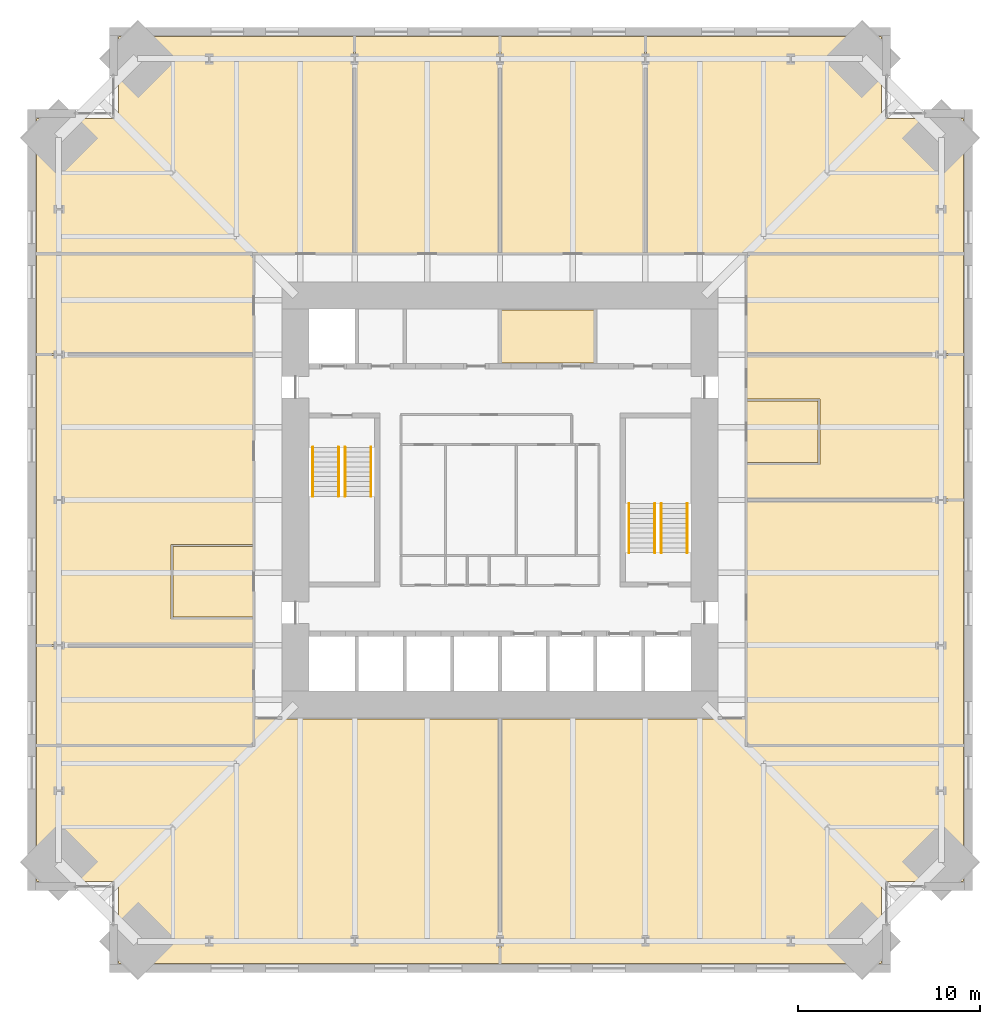
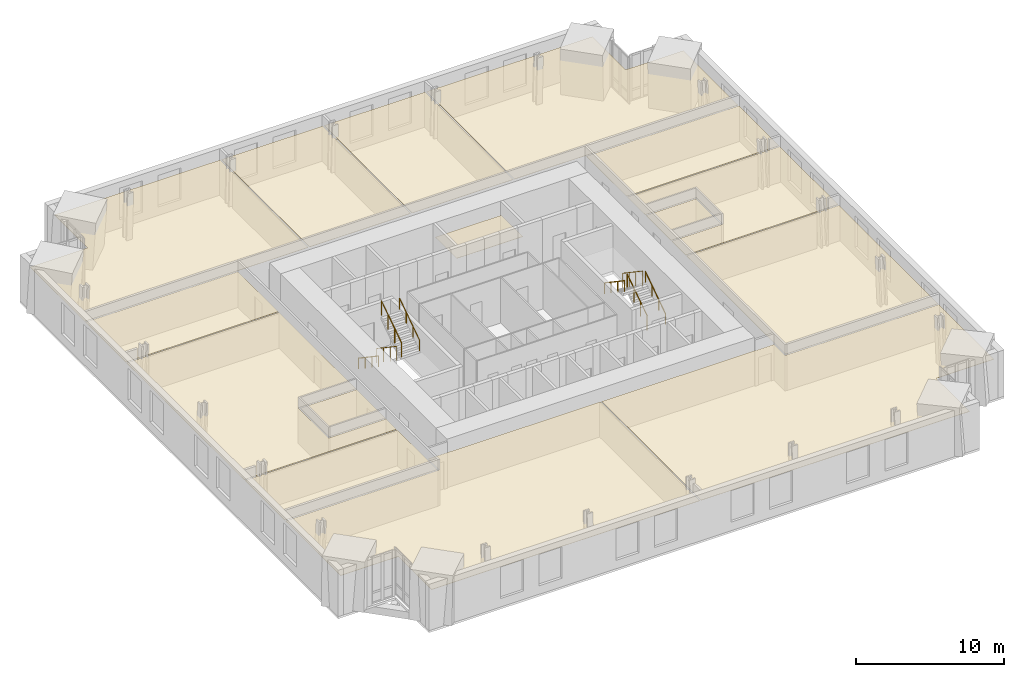
# One storey, part 18 of 18: 15 coverings, 8 railings.
"""IFC4 building model written with IfcOpenShell, lengths in metres."""

from ifc_helpers import new_model, si_unit, direction, frame, origin, origin_2d, place, context, subcontext, project, spatial, polyline, circle, outline, extrude, material, layer, layer_set, type_object, element, save


model = new_model("IFC4")

# Units and contexts
model_context = context("Model", 3, precision=1e-05, world=origin(), true_north=direction((0.0, 1.0)))
body_context = subcontext(model_context, "Body", "Model", "MODEL_VIEW")
ifc_project = project(units=[si_unit("LENGTHUNIT", "METRE"), si_unit("AREAUNIT", "SQUARE_METRE"), si_unit("VOLUMEUNIT", "CUBIC_METRE"), si_unit("PLANEANGLEUNIT", "RADIAN"), si_unit("MASSUNIT", "GRAM", prefix="KILO")], contexts=[model_context])

# Site, building, storey
site_placement = place(None, origin())
site = spatial("IfcSite", under=ifc_project, at=site_placement, CompositionType="ELEMENT")
building_placement = place(site_placement, origin())
building = spatial("IfcBuilding", under=site, at=building_placement, Name="Peilmerk Tower", CompositionType="ELEMENT")
storey_placement = place(building_placement, frame((0.0, 0.0, 163.800048828125)))
storey = spatial("IfcBuildingStorey", under=building, at=storey_placement, Name="L34", CompositionType="ELEMENT", Elevation=163.800048828125)

# Coverings
ifc_material_1 = material(Name="Mineral fibre ceiling tiles", Category="mineral")
ifc_layer = layer(ifc_material_1, 0.02490234375)
ifc_layer_set = layer_set([ifc_layer], Name="Mineral fibre ceiling tiles")
covering_type = type_object("IfcCoveringType", Name="CL1 25 suspended ceiling", PredefinedType="CEILING", material=ifc_layer_set)
covering_1_placement = place(storey_placement, frame((0.0, 0.0, 2.905029296875)))
element("IfcCovering", 1, at=covering_1_placement, inside=storey, type_object=covering_type, Name="Suspended ceiling Office", PredefinedType="CEILING", context=body_context, shape_type="SweptSolid", body=[
    extrude(outline(polyline([(-25.5, 21.0), (-25.5, 13.60009765625), (-8.050048828125, 13.60009765625), (-8.050048828125, 25.5), (-21.0, 25.5), (-21.0, 21.0), (-25.5, 21.0)])), origin(), (0.0, 0.0, 1.0), 0.02490234375),
])
covering_2_placement = place(storey_placement, frame((0.0, 0.0, 2.905029296875)))
element("IfcCovering", 2, at=covering_2_placement, inside=storey, type_object=covering_type, Name="Suspended ceiling Office", PredefinedType="CEILING", context=body_context, shape_type="SweptSolid", body=[
    extrude(outline(polyline([(-0.050048828125, 25.5), (-7.949951171875, 25.5), (-7.949951171875, 13.60009765625), (-0.050048828125, 13.60009765625), (-0.050048828125, 25.5)])), origin(), (0.0, 0.0, 1.0), 0.02490234375),
])
covering_3_placement = place(storey_placement, frame((0.0, 0.0, 2.905029296875)))
element("IfcCovering", 3, at=covering_3_placement, inside=storey, type_object=covering_type, Name="Suspended ceiling Office", PredefinedType="CEILING", context=body_context, shape_type="SweptSolid", body=[
    extrude(outline(polyline([(7.949951171875, 25.5), (0.050048828125, 25.5), (0.050048828125, 13.60009765625), (7.949951171875, 13.60009765625), (7.949951171875, 25.5)])), origin(), (0.0, 0.0, 1.0), 0.02490234375),
])
covering_4_placement = place(storey_placement, frame((0.0, 0.0, 2.905029296875)))
element("IfcCovering", 4, at=covering_4_placement, inside=storey, type_object=covering_type, Name="Suspended ceiling Office", PredefinedType="CEILING", context=body_context, shape_type="SweptSolid", body=[
    extrude(outline(polyline([(21.0, 25.5), (8.050048828125, 25.5), (8.050048828125, 13.60009765625), (25.5, 13.60009765625), (25.5, 21.0), (21.0, 21.0), (21.0, 25.5)])), origin(), (0.0, 0.0, 1.0), 0.02490234375),
])
covering_5_placement = place(storey_placement, frame((0.0, 0.0, 2.905029296875)))
element("IfcCovering", 5, at=covering_5_placement, inside=storey, type_object=covering_type, Name="Suspended ceiling Office", PredefinedType="CEILING", context=body_context, shape_type="SweptSolid", body=[
    extrude(outline(polyline([(-21.0, -25.5), (-0.050048828125, -25.5), (-0.050048828125, -12.050048828125), (-13.5, -12.050048828125), (-13.5, -13.550048828125), (-25.5, -13.550048828125), (-25.5, -21.0), (-21.0, -21.0), (-21.0, -25.5)])), origin(), (0.0, 0.0, 1.0), 0.02490234375),
])
covering_6_placement = place(storey_placement, frame((0.0, 0.0, 2.905029296875)))
element("IfcCovering", 6, at=covering_6_placement, inside=storey, type_object=covering_type, Name="Suspended ceiling Office", PredefinedType="CEILING", context=body_context, shape_type="SweptSolid", body=[
    extrude(outline(polyline([(0.050048828125, -25.5), (21.0, -25.5), (21.0, -21.0), (25.5, -21.0), (25.5, -13.550048828125), (13.5, -13.550048828125), (13.5, -12.050048828125), (0.050048828125, -12.050048828125), (0.050048828125, -25.5)])), origin(), (0.0, 0.0, 1.0), 0.02490234375),
])
covering_7_placement = place(storey_placement, frame((0.0, 0.0, 2.905029296875)))
element("IfcCovering", 7, at=covering_7_placement, inside=storey, type_object=covering_type, Name="Suspended ceiling Library", PredefinedType="CEILING", context=body_context, shape_type="SweptSolid", body=[
    extrude(outline(polyline([(25.5, -13.449951171875), (25.5, -0.050048828125), (13.60009765625, -0.050048828125), (13.60009765625, -13.449951171875), (25.5, -13.449951171875)])), origin(), (0.0, 0.0, 1.0), 0.02490234375),
])
covering_8_placement = place(storey_placement, frame((0.0, 0.0, 2.905029296875)))
element("IfcCovering", 8, at=covering_8_placement, inside=storey, type_object=covering_type, Name="Suspended ceiling Office", PredefinedType="CEILING", context=body_context, shape_type="SweptSolid", body=[
    extrude(outline(polyline([(13.60009765625, 0.050048828125), (25.5, 0.050048828125), (25.5, 7.949951171875), (13.60009765625, 7.949951171875), (13.60009765625, 5.550048828125), (17.60009765625, 5.550048828125), (17.60009765625, 1.949951171875), (13.60009765625, 1.949951171875), (13.60009765625, 0.050048828125)])), origin(), (0.0, 0.0, 1.0), 0.02490234375),
])
covering_9_placement = place(storey_placement, frame((0.0, 0.0, 2.905029296875)))
element("IfcCovering", 9, at=covering_9_placement, inside=storey, type_object=covering_type, Name="Suspended ceiling Office", PredefinedType="CEILING", context=body_context, shape_type="SweptSolid", body=[
    extrude(outline(polyline([(25.5, 8.050048828125), (25.5, 13.5), (13.60009765625, 13.5), (13.60009765625, 8.050048828125), (25.5, 8.050048828125)])), origin(), (0.0, 0.0, 1.0), 0.02490234375),
])
covering_10_placement = place(storey_placement, frame((0.0, 0.0, 2.905029296875)))
element("IfcCovering", 10, at=covering_10_placement, inside=storey, type_object=covering_type, Name="Suspended ceiling Pantry", PredefinedType="CEILING", context=body_context, shape_type="SweptSolid", body=[
    extrude(outline(polyline([(17.5, 2.050048828125), (17.5, 5.449951171875), (13.60009765625, 5.449951171875), (13.60009765625, 2.050048828125), (17.5, 2.050048828125)])), origin(), (0.0, 0.0, 1.0), 0.02490234375),
])
covering_11_placement = place(storey_placement, frame((0.0, 0.0, 2.905029296875)))
element("IfcCovering", 11, at=covering_11_placement, inside=storey, type_object=covering_type, Name="Suspended ceiling Office", PredefinedType="CEILING", context=body_context, shape_type="SweptSolid", body=[
    extrude(outline(polyline([(-25.5, -8.050048828125), (-25.5, -13.449951171875), (-13.60009765625, -13.449951171875), (-13.60009765625, -8.050048828125), (-25.5, -8.050048828125)])), origin(), (0.0, 0.0, 1.0), 0.02490234375),
])
covering_12_placement = place(storey_placement, frame((0.0, 0.0, 2.905029296875)))
element("IfcCovering", 12, at=covering_12_placement, inside=storey, type_object=covering_type, Name="Suspended ceiling Office", PredefinedType="CEILING", context=body_context, shape_type="SweptSolid", body=[
    extrude(outline(polyline([(-13.60009765625, 7.949951171875), (-25.5, 7.949951171875), (-25.5, -7.949951171875), (-13.60009765625, -7.949951171875), (-13.60009765625, -6.550048828125), (-18.10009765625, -6.550048828125), (-18.10009765625, -2.449951171875), (-13.60009765625, -2.449951171875), (-13.60009765625, 7.949951171875)])), origin(), (0.0, 0.0, 1.0), 0.02490234375),
])
covering_13_placement = place(storey_placement, frame((0.0, 0.0, 2.905029296875)))
element("IfcCovering", 13, at=covering_13_placement, inside=storey, type_object=covering_type, Name="Suspended ceiling Office", PredefinedType="CEILING", context=body_context, shape_type="SweptSolid", body=[
    extrude(outline(polyline([(-25.5, 13.5), (-25.5, 8.050048828125), (-13.60009765625, 8.050048828125), (-13.60009765625, 13.5), (-25.5, 13.5)])), origin(), (0.0, 0.0, 1.0), 0.02490234375),
])
covering_14_placement = place(storey_placement, frame((0.0, 0.0, 2.905029296875)))
element("IfcCovering", 14, at=covering_14_placement, inside=storey, type_object=covering_type, Name="Suspended ceiling Meeting room", PredefinedType="CEILING", context=body_context, shape_type="SweptSolid", body=[
    extrude(outline(polyline([(-13.60009765625, -6.449951171875), (-13.60009765625, -2.550048828125), (-18.0, -2.550048828125), (-18.0, -6.449951171875), (-13.60009765625, -6.449951171875)])), origin(), (0.0, 0.0, 1.0), 0.02490234375),
])
covering_15_placement = place(storey_placement, frame((0.0, 0.0, 2.824951171875)))
element("IfcCovering", 15, at=covering_15_placement, inside=storey, type_object=covering_type, Name="Suspended ceiling Back-of-house office", PredefinedType="CEILING", context=body_context, shape_type="SweptSolid", body=[
    extrude(outline(polyline([(0.051025390625, 7.551025390625), (5.198974609375, 7.551025390625), (5.198974609375, 10.448974609375), (0.051025390625, 10.448974609375), (0.051025390625, 7.551025390625)])), origin(), (0.0, 0.0, 1.0), 0.02490234375),
])

# Railings
ifc_material_2 = material(Name="Steel flat bar balustrade", Category="steel")
railing_type_1 = type_object("IfcRailingType", Name="GR1 1200 stair guard", PredefinedType="GUARDRAIL", material=ifc_material_2)
railing_1_placement = place(storey_placement, frame((-8.8798828125, 2.89990234375, 0.181884765625)))
element("IfcRailing", 16, at=railing_1_placement, inside=storey, type_object=railing_type_1, Name="Guard stair 1 L34", PredefinedType="GUARDRAIL", context=body_context, shape_type="SweptSolid", body=[
    extrude(circle(Radius=0.02392578125, at=origin_2d()), frame((0.0, 0.0, 1.17578125), z_axis=(0.0, -0.829468130872, 0.55855404382), x_axis=(1.0, 0.0, 0.0)), (0.0, 0.0, 1.0), 3.255126953125),
    extrude(circle(Radius=0.02099609375, at=origin_2d()), origin(), (0.0, 0.0, 1.0), 1.15185546875),
    extrude(circle(Radius=0.02099609375, at=origin_2d()), frame((0.0, -0.89990234375, 0.60595703125)), (0.0, 0.0, 1.0), 1.15185546875),
    extrude(circle(Radius=0.02099609375, at=origin_2d()), frame((0.0, -1.800048828125, 1.212158203125)), (0.0, 0.0, 1.0), 1.15185546875),
    extrude(circle(Radius=0.02099609375, at=origin_2d()), frame((0.0, -2.699951171875, 1.818115234375)), (0.0, 0.0, 1.0), 1.15185546875),
])
for number, where, name in (
    (17, (-8.52001953125, 0.199951171875, 2.181884765625), "Guard stair 1 L34"),
    (18, (8.8798828125, -2.89990234375, 0.181884765625), "Guard stair 2 L34"),
):
    element("IfcRailing", number, at=place(storey_placement, frame(where)), inside=storey, type_object=railing_type_1, Name=name, PredefinedType="GUARDRAIL", context=body_context, shape_type="SweptSolid", body=[
        extrude(circle(Radius=0.02392578125, at=origin_2d()), frame((0.0, 0.0, 1.17578125), z_axis=(0.0, 0.829468130872, 0.55855404382), x_axis=(-1.0, 0.0, 0.0)), (0.0, 0.0, 1.0), 3.255126953125),
        extrude(circle(Radius=0.02099609375, at=origin_2d()), origin(), (0.0, 0.0, 1.0), 1.15185546875),
        extrude(circle(Radius=0.02099609375, at=origin_2d()), frame((0.0, 0.89990234375, 0.60595703125)), (0.0, 0.0, 1.0), 1.15185546875),
        extrude(circle(Radius=0.02099609375, at=origin_2d()), frame((0.0, 1.800048828125, 1.212158203125)), (0.0, 0.0, 1.0), 1.15185546875),
        extrude(circle(Radius=0.02099609375, at=origin_2d()), frame((0.0, 2.699951171875, 1.818115234375)), (0.0, 0.0, 1.0), 1.15185546875),
    ])
railing_2_placement = place(storey_placement, frame((8.52001953125, -0.199951171875, 2.181884765625)))
element("IfcRailing", 19, at=railing_2_placement, inside=storey, type_object=railing_type_1, Name="Guard stair 2 L34", PredefinedType="GUARDRAIL", context=body_context, shape_type="SweptSolid", body=[
    extrude(circle(Radius=0.02392578125, at=origin_2d()), frame((0.0, 0.0, 1.17578125), z_axis=(0.0, -0.829468130872, 0.55855404382), x_axis=(1.0, 0.0, 0.0)), (0.0, 0.0, 1.0), 3.255126953125),
    extrude(circle(Radius=0.02099609375, at=origin_2d()), origin(), (0.0, 0.0, 1.0), 1.15185546875),
    extrude(circle(Radius=0.02099609375, at=origin_2d()), frame((0.0, -0.89990234375, 0.60595703125)), (0.0, 0.0, 1.0), 1.15185546875),
    extrude(circle(Radius=0.02099609375, at=origin_2d()), frame((0.0, -1.800048828125, 1.212158203125)), (0.0, 0.0, 1.0), 1.15185546875),
    extrude(circle(Radius=0.02099609375, at=origin_2d()), frame((0.0, -2.699951171875, 1.818115234375)), (0.0, 0.0, 1.0), 1.15185546875),
])
ifc_material_3 = material(Name="Stainless steel tube", Category="steel")
railing_type_2 = type_object("IfcRailingType", Name="HR1 900 stair handrail", PredefinedType="HANDRAIL", material=ifc_material_3)
railing_3_placement = place(storey_placement, frame((-10.300048828125, 2.89990234375, 0.181884765625)))
element("IfcRailing", 20, at=railing_3_placement, inside=storey, type_object=railing_type_2, Name="Handrail stair 1 L34", PredefinedType="HANDRAIL", context=body_context, shape_type="SweptSolid", body=[
    extrude(circle(Radius=0.02392578125, at=origin_2d()), frame((0.0, 0.0, 0.8759765625), z_axis=(0.0, -0.829468130872, 0.55855404382), x_axis=(1.0, 0.0, 0.0)), (0.0, 0.0, 1.0), 3.255126953125),
    extrude(circle(Radius=0.02099609375, at=origin_2d()), origin(), (0.0, 0.0, 1.0), 0.851806640625),
    extrude(circle(Radius=0.02099609375, at=origin_2d()), frame((0.0, -0.89990234375, 0.60595703125)), (0.0, 0.0, 1.0), 0.851806640625),
    extrude(circle(Radius=0.02099609375, at=origin_2d()), frame((0.0, -1.800048828125, 1.212158203125)), (0.0, 0.0, 1.0), 0.851806640625),
    extrude(circle(Radius=0.02099609375, at=origin_2d()), frame((0.0, -2.699951171875, 1.818115234375)), (0.0, 0.0, 1.0), 0.851806640625),
])
for number, where, name in (
    (21, (-7.10009765625, 0.199951171875, 2.181884765625), "Handrail stair 1 L34"),
    (22, (10.300048828125, -2.89990234375, 0.181884765625), "Handrail stair 2 L34"),
):
    element("IfcRailing", number, at=place(storey_placement, frame(where)), inside=storey, type_object=railing_type_2, Name=name, PredefinedType="HANDRAIL", context=body_context, shape_type="SweptSolid", body=[
        extrude(circle(Radius=0.02392578125, at=origin_2d()), frame((0.0, 0.0, 0.8759765625), z_axis=(0.0, 0.829468130872, 0.55855404382), x_axis=(-1.0, 0.0, 0.0)), (0.0, 0.0, 1.0), 3.255126953125),
        extrude(circle(Radius=0.02099609375, at=origin_2d()), origin(), (0.0, 0.0, 1.0), 0.851806640625),
        extrude(circle(Radius=0.02099609375, at=origin_2d()), frame((0.0, 0.89990234375, 0.60595703125)), (0.0, 0.0, 1.0), 0.851806640625),
        extrude(circle(Radius=0.02099609375, at=origin_2d()), frame((0.0, 1.800048828125, 1.212158203125)), (0.0, 0.0, 1.0), 0.851806640625),
        extrude(circle(Radius=0.02099609375, at=origin_2d()), frame((0.0, 2.699951171875, 1.818115234375)), (0.0, 0.0, 1.0), 0.851806640625),
    ])
railing_4_placement = place(storey_placement, frame((7.10009765625, -0.199951171875, 2.181884765625)))
element("IfcRailing", 23, at=railing_4_placement, inside=storey, type_object=railing_type_2, Name="Handrail stair 2 L34", PredefinedType="HANDRAIL", context=body_context, shape_type="SweptSolid", body=[
    extrude(circle(Radius=0.02392578125, at=origin_2d()), frame((0.0, 0.0, 0.8759765625), z_axis=(0.0, -0.829468130872, 0.55855404382), x_axis=(1.0, 0.0, 0.0)), (0.0, 0.0, 1.0), 3.255126953125),
    extrude(circle(Radius=0.02099609375, at=origin_2d()), origin(), (0.0, 0.0, 1.0), 0.851806640625),
    extrude(circle(Radius=0.02099609375, at=origin_2d()), frame((0.0, -0.89990234375, 0.60595703125)), (0.0, 0.0, 1.0), 0.851806640625),
    extrude(circle(Radius=0.02099609375, at=origin_2d()), frame((0.0, -1.800048828125, 1.212158203125)), (0.0, 0.0, 1.0), 0.851806640625),
    extrude(circle(Radius=0.02099609375, at=origin_2d()), frame((0.0, -2.699951171875, 1.818115234375)), (0.0, 0.0, 1.0), 0.851806640625),
])

save(model, "model.ifc")
